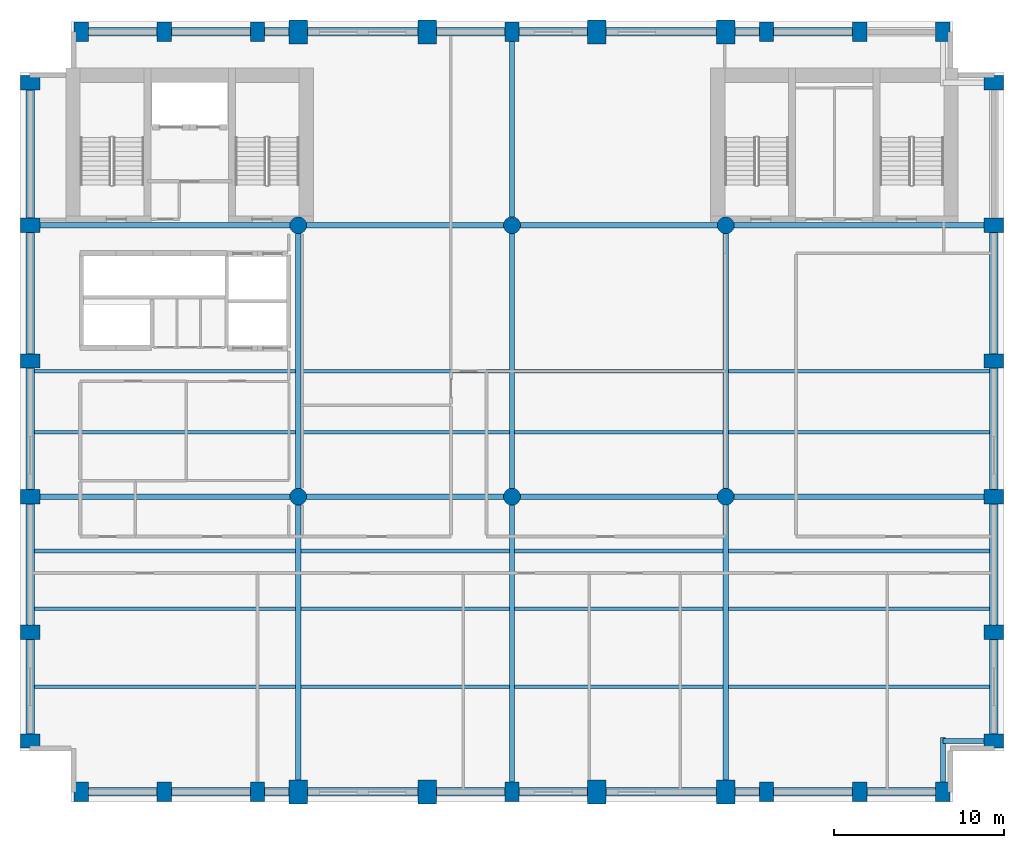
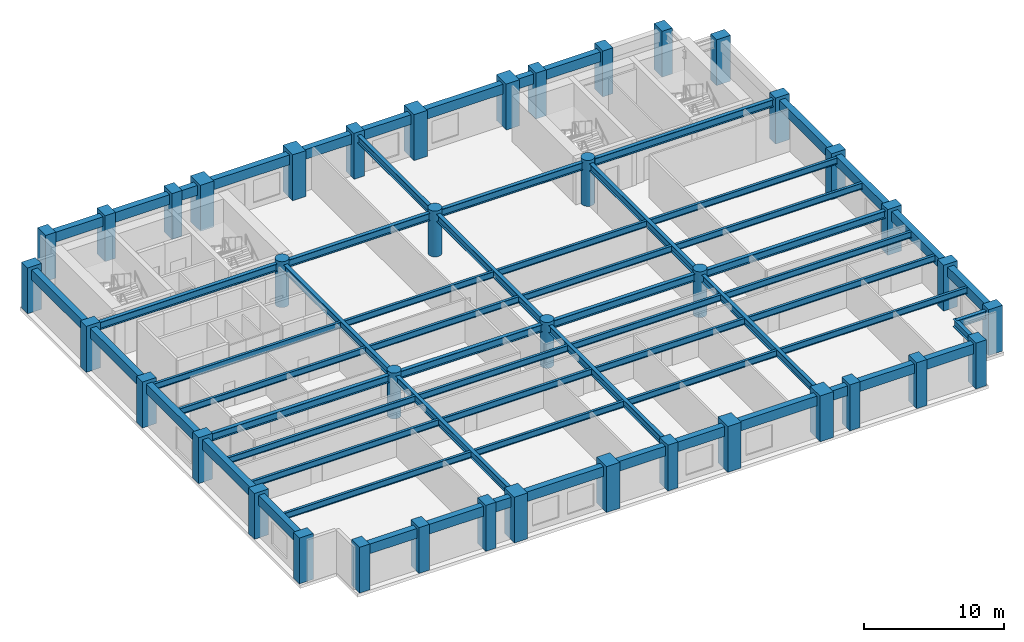
# One storey, part 1 of 8: 65 beams, 40 columns.
"""IFC4 building model written with IfcOpenShell, lengths in metres."""

from ifc_helpers import new_model, si_unit, direction, frame, origin, origin_2d, place, context, subcontext, project, spatial, rectangle, circle, i_section, extrude, material, material_profile, profile_set, type_object, element, save


model = new_model("IFC4")

# Units and contexts
model_context = context("Model", 3, precision=1e-05, world=origin(), true_north=direction((0.0, 1.0)))
body_context = subcontext(model_context, "Body", "Model", "MODEL_VIEW")
ifc_project = project(units=[si_unit("LENGTHUNIT", "METRE"), si_unit("AREAUNIT", "SQUARE_METRE"), si_unit("VOLUMEUNIT", "CUBIC_METRE"), si_unit("PLANEANGLEUNIT", "RADIAN"), si_unit("MASSUNIT", "GRAM", prefix="KILO")], contexts=[model_context])

# Site, building, storey
site_placement = place(None, origin())
site = spatial("IfcSite", under=ifc_project, at=site_placement, CompositionType="ELEMENT")
building_placement = place(site_placement, origin())
building = spatial("IfcBuilding", under=site, at=building_placement, Name="Sulina Concourse Tower", CompositionType="ELEMENT")
storey_placement = place(building_placement, frame((0.0, 0.0, 108.60009765625)))
storey = spatial("IfcBuildingStorey", under=building, at=storey_placement, Name="L26", CompositionType="ELEMENT", Elevation=108.60009765625)

# Columns
ifc_material_1 = material(Name="Concrete C60/75", Category="concrete")
ifc_material_profile_1 = material_profile(ifc_material_1, circle(Radius=0.5, at=origin_2d()), Name="RC D1000")
ifc_profile_set_1 = profile_set([ifc_material_profile_1], Name="Concrete C60/75")
column_type_1 = type_object("IfcColumnType", Name="Lower Interior Circular Column D1000", PredefinedType="COLUMN", material=ifc_profile_set_1)
for number, where, z_axis, x_axis, name in (
    (1, (16.39990234375, 18.0, 0.0), (0.0, 0.0, 1.0), (1.0, 0.0, 0.0), "L26 structural column IC-M-164"),
    (2, (16.39990234375, 34.0, 0.0), (0.0, 0.0, 1.0), (1.0, 0.0, 0.0), "L26 structural column IC-N-164"),
    (3, (29.0, 18.0, 0.0), (0.0, 0.0, 1.0), (1.0, 0.0, 0.0), "L26 structural column IC-M-290"),
    (4, (29.0, 34.0, 0.0), (0.0, 0.0, 1.0), (1.0, 0.0, 0.0), "L26 structural column IC-N-290"),
    (5, (41.60009765625, 18.0, 0.0), (0.0, 0.0, 1.0), (1.0, 0.0, 0.0), "L26 structural column IC-M-416"),
    (6, (41.60009765625, 34.0, 0.0), (0.0, 0.0, 1.0), (1.0, 0.0, 0.0), "L26 structural column IC-N-416"),
):
    element("IfcColumn", number, at=place(storey_placement, frame(where, z_axis=z_axis, x_axis=x_axis)), inside=storey, type_object=column_type_1, Name=name, PredefinedType="COLUMN", context=body_context, shape_type="SweptSolid", body=[
        extrude(circle(Radius=0.5, at=origin_2d()), origin(), (0.0, 0.0, 1.0), 4.0),
    ])
ifc_material_2 = material(Name="Concrete C60/75", Category="concrete")
ifc_material_profile_2 = material_profile(ifc_material_2, rectangle(XDim=1.10009765625, YDim=1.39990234375, at=origin_2d()), Name="RC 1100x1400")
ifc_profile_set_2 = profile_set([ifc_material_profile_2], Name="Concrete C60/75")
column_type_2 = type_object("IfcColumnType", Name="Mid-Rise Portal Column 1100x1400", PredefinedType="COLUMN", material=ifc_profile_set_2)
for number, where, z_axis, x_axis, name in (
    (7, (16.39990234375, 0.60009765625, 0.0), (0.0, 0.0, 1.0), (1.0, 0.0, 0.0), "L26 structural column TP-S-164"),
    (8, (16.39990234375, 45.39990234375, 0.0), (0.0, 0.0, 1.0), (1.0, 0.0, 0.0), "L26 structural column TP-N-164"),
    (9, (24.0, 0.60009765625, 0.0), (0.0, 0.0, 1.0), (1.0, 0.0, 0.0), "L26 structural column TP-S-240"),
    (10, (24.0, 45.39990234375, 0.0), (0.0, 0.0, 1.0), (1.0, 0.0, 0.0), "L26 structural column TP-N-240"),
    (11, (34.0, 0.60009765625, 0.0), (0.0, 0.0, 1.0), (1.0, 0.0, 0.0), "L26 structural column TP-S-340"),
    (12, (34.0, 45.39990234375, 0.0), (0.0, 0.0, 1.0), (1.0, 0.0, 0.0), "L26 structural column TP-N-340"),
    (13, (41.60009765625, 0.60009765625, 0.0), (0.0, 0.0, 1.0), (1.0, 0.0, 0.0), "L26 structural column TP-S-416"),
    (14, (41.60009765625, 45.39990234375, 0.0), (0.0, 0.0, 1.0), (1.0, 0.0, 0.0), "L26 structural column TP-N-416"),
):
    element("IfcColumn", number, at=place(storey_placement, frame(where, z_axis=z_axis, x_axis=x_axis)), inside=storey, type_object=column_type_2, Name=name, PredefinedType="COLUMN", context=body_context, shape_type="SweptSolid", body=[
        extrude(rectangle(XDim=1.10009765625, YDim=1.39990234375, at=origin_2d()), origin(), (0.0, 0.0, 1.0), 4.0),
    ])
ifc_material_3 = material(Name="Precast concrete C60/75", Category="concrete")
ifc_material_profile_3 = material_profile(ifc_material_3, rectangle(XDim=0.85009765625, YDim=1.14990234375, at=origin_2d()), Name="PC 850x1150")
ifc_profile_set_3 = profile_set([ifc_material_profile_3], Name="Precast concrete C60/75")
column_type_3 = type_object("IfcColumnType", Name="Precast Tube Pier Zone 2 850x1150", PredefinedType="COLUMN", material=ifc_profile_set_3)
for number, where, z_axis, x_axis, name in (
    (15, (3.60009765625, 0.60009765625, 0.0), (0.0, 0.0, 1.0), (1.0, 0.0, 0.0), "L26 structural column TP-S-36"),
    (16, (3.60009765625, 45.39990234375, 0.0), (0.0, 0.0, 1.0), (1.0, 0.0, 0.0), "L26 structural column TP-N-36"),
    (17, (8.5, 0.60009765625, 0.0), (0.0, 0.0, 1.0), (1.0, 0.0, 0.0), "L26 structural column TP-S-85"),
    (18, (8.5, 45.39990234375, 0.0), (0.0, 0.0, 1.0), (1.0, 0.0, 0.0), "L26 structural column TP-N-85"),
    (19, (14.0, 0.60009765625, 0.0), (0.0, 0.0, 1.0), (1.0, 0.0, 0.0), "L26 structural column TP-S-140"),
    (20, (14.0, 45.39990234375, 0.0), (0.0, 0.0, 1.0), (1.0, 0.0, 0.0), "L26 structural column TP-N-140"),
    (21, (29.0, 0.60009765625, 0.0), (0.0, 0.0, 1.0), (1.0, 0.0, 0.0), "L26 structural column TP-S-290"),
    (22, (29.0, 45.39990234375, 0.0), (0.0, 0.0, 1.0), (1.0, 0.0, 0.0), "L26 structural column TP-N-290"),
    (23, (44.0, 0.60009765625, 0.0), (0.0, 0.0, 1.0), (1.0, 0.0, 0.0), "L26 structural column TP-S-440"),
    (24, (44.0, 45.39990234375, 0.0), (0.0, 0.0, 1.0), (1.0, 0.0, 0.0), "L26 structural column TP-N-440"),
    (25, (49.5, 0.60009765625, 0.0), (0.0, 0.0, 1.0), (1.0, 0.0, 0.0), "L26 structural column TP-S-495"),
    (26, (49.5, 45.39990234375, 0.0), (0.0, 0.0, 1.0), (1.0, 0.0, 0.0), "L26 structural column TP-N-495"),
    (27, (54.39990234375, 0.60009765625, 0.0), (0.0, 0.0, 1.0), (1.0, 0.0, 0.0), "L26 structural column TP-S-544"),
    (28, (54.39990234375, 45.39990234375, 0.0), (0.0, 0.0, 1.0), (1.0, 0.0, 0.0), "L26 structural column TP-N-544"),
    (29, (0.60009765625, 3.60009765625, 0.0), (0.0, 0.0, 1.0), (0.0, 1.0, 0.0), "L26 structural column TP-W-36"),
    (30, (57.39990234375, 3.60009765625, 0.0), (0.0, 0.0, 1.0), (0.0, 1.0, 0.0), "L26 structural column TP-E-36"),
    (31, (0.60009765625, 10.0, 0.0), (0.0, 0.0, 1.0), (0.0, 1.0, 0.0), "L26 structural column TP-W-100"),
    (32, (57.39990234375, 10.0, 0.0), (0.0, 0.0, 1.0), (0.0, 1.0, 0.0), "L26 structural column TP-E-100"),
    (33, (0.60009765625, 18.0, 0.0), (0.0, 0.0, 1.0), (0.0, 1.0, 0.0), "L26 structural column TP-W-180"),
    (34, (57.39990234375, 18.0, 0.0), (0.0, 0.0, 1.0), (0.0, 1.0, 0.0), "L26 structural column TP-E-180"),
    (35, (0.60009765625, 26.0, 0.0), (0.0, 0.0, 1.0), (0.0, 1.0, 0.0), "L26 structural column TP-W-260"),
    (36, (57.39990234375, 26.0, 0.0), (0.0, 0.0, 1.0), (0.0, 1.0, 0.0), "L26 structural column TP-E-260"),
    (37, (0.60009765625, 34.0, 0.0), (0.0, 0.0, 1.0), (0.0, 1.0, 0.0), "L26 structural column TP-W-340"),
    (38, (57.39990234375, 34.0, 0.0), (0.0, 0.0, 1.0), (0.0, 1.0, 0.0), "L26 structural column TP-E-340"),
    (39, (0.60009765625, 42.39990234375, 0.0), (0.0, 0.0, 1.0), (0.0, 1.0, 0.0), "L26 structural column TP-W-424"),
    (40, (57.39990234375, 42.39990234375, 0.0), (0.0, 0.0, 1.0), (0.0, 1.0, 0.0), "L26 structural column TP-E-424"),
):
    element("IfcColumn", number, at=place(storey_placement, frame(where, z_axis=z_axis, x_axis=x_axis)), inside=storey, type_object=column_type_3, Name=name, PredefinedType="COLUMN", context=body_context, shape_type="SweptSolid", body=[
        extrude(rectangle(XDim=0.85009765625, YDim=1.14990234375, at=origin_2d()), origin(), (0.0, 0.0, 1.0), 4.0),
    ])

# Beams
ifc_material_4 = material(Name="Steel S355", Category="steel")
ifc_material_profile_4 = material_profile(ifc_material_4, i_section(OverallWidth=0.2099609375, OverallDepth=0.550048828125, WebThickness=0.010986328125, FlangeThickness=0.01708984375, at=origin_2d()), Name="IPE 550")
ifc_profile_set_4 = profile_set([ifc_material_profile_4], Name="Steel S355")
beam_type_1 = type_object("IfcBeamType", Name="Composite Floor Joist IPE550", PredefinedType="JOIST", material=ifc_profile_set_4)
beam_1_placement = place(storey_placement, frame((0.85009765625, 6.800048828125, 3.449951171875), z_axis=(1.0, 0.0, 0.0), x_axis=(0.0, 1.0, 0.0)))
element("IfcBeam", 41, at=beam_1_placement, inside=storey, type_object=beam_type_1, Name="FJ-J06-1-L26", PredefinedType="JOIST", context=body_context, shape_type="SweptSolid", body=[
    extrude(i_section(OverallWidth=0.2099609375, OverallDepth=0.550048828125, WebThickness=0.010986328125, FlangeThickness=0.01708984375, at=origin_2d()), origin(), (0.0, 0.0, 1.0), 15.39990234375),
])
for number, where, z_axis, x_axis, name in (
    (42, (16.550048828125, 6.800048828125, 3.449951171875), (1.0, 0.0, 0.0), (0.0, 1.0, 0.0), "FJ-J06-2-L26"),
    (43, (29.14990234375, 6.800048828125, 3.449951171875), (1.0, 0.0, 0.0), (0.0, 1.0, 0.0), "FJ-J06-3-L26"),
):
    element("IfcBeam", number, at=place(storey_placement, frame(where, z_axis=z_axis, x_axis=x_axis)), inside=storey, type_object=beam_type_1, Name=name, PredefinedType="JOIST", context=body_context, shape_type="SweptSolid", body=[
        extrude(i_section(OverallWidth=0.2099609375, OverallDepth=0.550048828125, WebThickness=0.010986328125, FlangeThickness=0.01708984375, at=origin_2d()), origin(), (0.0, 0.0, 1.0), 12.300048828125),
    ])
for number, where, z_axis, x_axis, name in (
    (44, (41.75, 6.800048828125, 3.449951171875), (1.0, 0.0, 0.0), (0.0, 1.0, 0.0), "FJ-J06-4-L26"),
    (45, (0.85009765625, 11.39990234375, 3.449951171875), (1.0, 0.0, 0.0), (0.0, 1.0, 0.0), "FJ-J11-1-L26"),
):
    element("IfcBeam", number, at=place(storey_placement, frame(where, z_axis=z_axis, x_axis=x_axis)), inside=storey, type_object=beam_type_1, Name=name, PredefinedType="JOIST", context=body_context, shape_type="SweptSolid", body=[
        extrude(i_section(OverallWidth=0.2099609375, OverallDepth=0.550048828125, WebThickness=0.010986328125, FlangeThickness=0.01708984375, at=origin_2d()), origin(), (0.0, 0.0, 1.0), 15.39990234375),
    ])
for number, where, z_axis, x_axis, name in (
    (46, (16.550048828125, 11.39990234375, 3.449951171875), (1.0, 0.0, 0.0), (0.0, 1.0, 0.0), "FJ-J11-2-L26"),
    (47, (29.14990234375, 11.39990234375, 3.449951171875), (1.0, 0.0, 0.0), (0.0, 1.0, 0.0), "FJ-J11-3-L26"),
):
    element("IfcBeam", number, at=place(storey_placement, frame(where, z_axis=z_axis, x_axis=x_axis)), inside=storey, type_object=beam_type_1, Name=name, PredefinedType="JOIST", context=body_context, shape_type="SweptSolid", body=[
        extrude(i_section(OverallWidth=0.2099609375, OverallDepth=0.550048828125, WebThickness=0.010986328125, FlangeThickness=0.01708984375, at=origin_2d()), origin(), (0.0, 0.0, 1.0), 12.300048828125),
    ])
for number, where, z_axis, x_axis, name in (
    (48, (41.75, 11.39990234375, 3.449951171875), (1.0, 0.0, 0.0), (0.0, 1.0, 0.0), "FJ-J11-4-L26"),
    (49, (0.85009765625, 14.800048828125, 3.449951171875), (1.0, 0.0, 0.0), (0.0, 1.0, 0.0), "FJ-J15-1-L26"),
):
    element("IfcBeam", number, at=place(storey_placement, frame(where, z_axis=z_axis, x_axis=x_axis)), inside=storey, type_object=beam_type_1, Name=name, PredefinedType="JOIST", context=body_context, shape_type="SweptSolid", body=[
        extrude(i_section(OverallWidth=0.2099609375, OverallDepth=0.550048828125, WebThickness=0.010986328125, FlangeThickness=0.01708984375, at=origin_2d()), origin(), (0.0, 0.0, 1.0), 15.39990234375),
    ])
for number, where, z_axis, x_axis, name in (
    (50, (16.550048828125, 14.800048828125, 3.449951171875), (1.0, 0.0, 0.0), (0.0, 1.0, 0.0), "FJ-J15-2-L26"),
    (51, (29.14990234375, 14.800048828125, 3.449951171875), (1.0, 0.0, 0.0), (0.0, 1.0, 0.0), "FJ-J15-3-L26"),
):
    element("IfcBeam", number, at=place(storey_placement, frame(where, z_axis=z_axis, x_axis=x_axis)), inside=storey, type_object=beam_type_1, Name=name, PredefinedType="JOIST", context=body_context, shape_type="SweptSolid", body=[
        extrude(i_section(OverallWidth=0.2099609375, OverallDepth=0.550048828125, WebThickness=0.010986328125, FlangeThickness=0.01708984375, at=origin_2d()), origin(), (0.0, 0.0, 1.0), 12.300048828125),
    ])
for number, where, z_axis, x_axis, name in (
    (52, (41.75, 14.800048828125, 3.449951171875), (1.0, 0.0, 0.0), (0.0, 1.0, 0.0), "FJ-J15-4-L26"),
    (53, (0.85009765625, 21.800048828125, 3.449951171875), (1.0, 0.0, 0.0), (0.0, 1.0, 0.0), "FJ-J22-1-L26"),
):
    element("IfcBeam", number, at=place(storey_placement, frame(where, z_axis=z_axis, x_axis=x_axis)), inside=storey, type_object=beam_type_1, Name=name, PredefinedType="JOIST", context=body_context, shape_type="SweptSolid", body=[
        extrude(i_section(OverallWidth=0.2099609375, OverallDepth=0.550048828125, WebThickness=0.010986328125, FlangeThickness=0.01708984375, at=origin_2d()), origin(), (0.0, 0.0, 1.0), 15.39990234375),
    ])
for number, where, z_axis, x_axis, name in (
    (54, (16.550048828125, 21.800048828125, 3.449951171875), (1.0, 0.0, 0.0), (0.0, 1.0, 0.0), "FJ-J22-2-L26"),
    (55, (29.14990234375, 21.800048828125, 3.449951171875), (1.0, 0.0, 0.0), (0.0, 1.0, 0.0), "FJ-J22-3-L26"),
):
    element("IfcBeam", number, at=place(storey_placement, frame(where, z_axis=z_axis, x_axis=x_axis)), inside=storey, type_object=beam_type_1, Name=name, PredefinedType="JOIST", context=body_context, shape_type="SweptSolid", body=[
        extrude(i_section(OverallWidth=0.2099609375, OverallDepth=0.550048828125, WebThickness=0.010986328125, FlangeThickness=0.01708984375, at=origin_2d()), origin(), (0.0, 0.0, 1.0), 12.300048828125),
    ])
for number, where, z_axis, x_axis, name in (
    (56, (41.75, 21.800048828125, 3.449951171875), (1.0, 0.0, 0.0), (0.0, 1.0, 0.0), "FJ-J22-4-L26"),
    (57, (0.85009765625, 25.39990234375, 3.449951171875), (1.0, 0.0, 0.0), (0.0, 1.0, 0.0), "FJ-J25-1-L26"),
):
    element("IfcBeam", number, at=place(storey_placement, frame(where, z_axis=z_axis, x_axis=x_axis)), inside=storey, type_object=beam_type_1, Name=name, PredefinedType="JOIST", context=body_context, shape_type="SweptSolid", body=[
        extrude(i_section(OverallWidth=0.2099609375, OverallDepth=0.550048828125, WebThickness=0.010986328125, FlangeThickness=0.01708984375, at=origin_2d()), origin(), (0.0, 0.0, 1.0), 15.39990234375),
    ])
for number, where, z_axis, x_axis, name in (
    (58, (16.550048828125, 25.39990234375, 3.449951171875), (1.0, 0.0, 0.0), (0.0, 1.0, 0.0), "FJ-J25-2-L26"),
    (59, (29.14990234375, 25.39990234375, 3.449951171875), (1.0, 0.0, 0.0), (0.0, 1.0, 0.0), "FJ-J25-3-L26"),
):
    element("IfcBeam", number, at=place(storey_placement, frame(where, z_axis=z_axis, x_axis=x_axis)), inside=storey, type_object=beam_type_1, Name=name, PredefinedType="JOIST", context=body_context, shape_type="SweptSolid", body=[
        extrude(i_section(OverallWidth=0.2099609375, OverallDepth=0.550048828125, WebThickness=0.010986328125, FlangeThickness=0.01708984375, at=origin_2d()), origin(), (0.0, 0.0, 1.0), 12.300048828125),
    ])
beam_2_placement = place(storey_placement, frame((41.75, 25.39990234375, 3.449951171875), z_axis=(1.0, 0.0, 0.0), x_axis=(0.0, 1.0, 0.0)))
element("IfcBeam", 60, at=beam_2_placement, inside=storey, type_object=beam_type_1, Name="FJ-J25-4-L26", PredefinedType="JOIST", context=body_context, shape_type="SweptSolid", body=[
    extrude(i_section(OverallWidth=0.2099609375, OverallDepth=0.550048828125, WebThickness=0.010986328125, FlangeThickness=0.01708984375, at=origin_2d()), origin(), (0.0, 0.0, 1.0), 15.39990234375),
])
ifc_material_5 = material(Name="Steel S355", Category="steel")
ifc_material_profile_5 = material_profile(ifc_material_5, i_section(OverallWidth=0.300048828125, OverallDepth=0.64990234375, WebThickness=0.01611328125, FlangeThickness=0.031005859375, at=origin_2d()), Name="HE 650 B")
ifc_profile_set_5 = profile_set([ifc_material_profile_5], Name="Steel S355")
beam_type_2 = type_object("IfcBeamType", Name="Floor Primary Girder Zone 2 HE650B", PredefinedType="BEAM", material=ifc_profile_set_5)
beam_3_placement = place(storey_placement, frame((54.39990234375, 3.60009765625, 3.39990234375), z_axis=(1.0, 0.0, 0.0), x_axis=(0.0, 1.0, 0.0)))
element("IfcBeam", 61, at=beam_3_placement, inside=storey, type_object=beam_type_2, Name="TIE-SE-L26", PredefinedType="BEAM", context=body_context, shape_type="SweptSolid", body=[
    extrude(i_section(OverallWidth=0.300048828125, OverallDepth=0.64990234375, WebThickness=0.01611328125, FlangeThickness=0.031005859375, at=origin_2d()), origin(), (0.0, 0.0, 1.0), 2.59521484375),
])
beam_4_placement = place(storey_placement, frame((54.39990234375, 1.0048828125, 3.39990234375), z_axis=(0.0, 1.0, 0.0), x_axis=(-1.0, 0.0, 0.0)))
element("IfcBeam", 62, at=beam_4_placement, inside=storey, type_object=beam_type_2, Name="TIE-SES-L26", PredefinedType="BEAM", context=body_context, shape_type="SweptSolid", body=[
    extrude(i_section(OverallWidth=0.300048828125, OverallDepth=0.64990234375, WebThickness=0.01611328125, FlangeThickness=0.031005859375, at=origin_2d()), origin(), (0.0, 0.0, 1.0), 2.795166015625),
])
beam_5_placement = place(storey_placement, frame((1.0048828125, 18.0, 3.39990234375), z_axis=(1.0, 0.0, 0.0), x_axis=(0.0, 1.0, 0.0)))
element("IfcBeam", 63, at=beam_5_placement, inside=storey, type_object=beam_type_2, Name="FG-EW1-L26", PredefinedType="BEAM", context=body_context, shape_type="SweptSolid", body=[
    extrude(i_section(OverallWidth=0.300048828125, OverallDepth=0.64990234375, WebThickness=0.01611328125, FlangeThickness=0.031005859375, at=origin_2d()), origin(), (0.0, 0.0, 1.0), 14.9150390625),
])
for number, where, z_axis, x_axis, name in (
    (64, (16.8798828125, 18.0, 3.39990234375), (1.0, 0.0, 0.0), (0.0, 1.0, 0.0), "FG-EW2-L26"),
    (65, (29.47998046875, 18.0, 3.39990234375), (1.0, 0.0, 0.0), (0.0, 1.0, 0.0), "FG-EW3-L26"),
):
    element("IfcBeam", number, at=place(storey_placement, frame(where, z_axis=z_axis, x_axis=x_axis)), inside=storey, type_object=beam_type_2, Name=name, PredefinedType="BEAM", context=body_context, shape_type="SweptSolid", body=[
        extrude(i_section(OverallWidth=0.300048828125, OverallDepth=0.64990234375, WebThickness=0.01611328125, FlangeThickness=0.031005859375, at=origin_2d()), origin(), (0.0, 0.0, 1.0), 11.64013671875),
    ])
for number, where, z_axis, x_axis, name in (
    (66, (42.080078125, 18.0, 3.39990234375), (1.0, 0.0, 0.0), (0.0, 1.0, 0.0), "FG-EW4-L26"),
    (67, (1.0048828125, 34.0, 3.39990234375), (1.0, 0.0, 0.0), (0.0, 1.0, 0.0), "FG-EWN1-L26"),
):
    element("IfcBeam", number, at=place(storey_placement, frame(where, z_axis=z_axis, x_axis=x_axis)), inside=storey, type_object=beam_type_2, Name=name, PredefinedType="BEAM", context=body_context, shape_type="SweptSolid", body=[
        extrude(i_section(OverallWidth=0.300048828125, OverallDepth=0.64990234375, WebThickness=0.01611328125, FlangeThickness=0.031005859375, at=origin_2d()), origin(), (0.0, 0.0, 1.0), 14.9150390625),
    ])
for number, where, z_axis, x_axis, name in (
    (68, (16.8798828125, 34.0, 3.39990234375), (1.0, 0.0, 0.0), (0.0, 1.0, 0.0), "FG-EWN2-L26"),
    (69, (29.47998046875, 34.0, 3.39990234375), (1.0, 0.0, 0.0), (0.0, 1.0, 0.0), "FG-EWN3-L26"),
):
    element("IfcBeam", number, at=place(storey_placement, frame(where, z_axis=z_axis, x_axis=x_axis)), inside=storey, type_object=beam_type_2, Name=name, PredefinedType="BEAM", context=body_context, shape_type="SweptSolid", body=[
        extrude(i_section(OverallWidth=0.300048828125, OverallDepth=0.64990234375, WebThickness=0.01611328125, FlangeThickness=0.031005859375, at=origin_2d()), origin(), (0.0, 0.0, 1.0), 11.64013671875),
    ])
beam_6_placement = place(storey_placement, frame((42.080078125, 34.0, 3.39990234375), z_axis=(1.0, 0.0, 0.0), x_axis=(0.0, 1.0, 0.0)))
element("IfcBeam", 70, at=beam_6_placement, inside=storey, type_object=beam_type_2, Name="FG-EWN4-L26", PredefinedType="BEAM", context=body_context, shape_type="SweptSolid", body=[
    extrude(i_section(OverallWidth=0.300048828125, OverallDepth=0.64990234375, WebThickness=0.01611328125, FlangeThickness=0.031005859375, at=origin_2d()), origin(), (0.0, 0.0, 1.0), 14.9150390625),
])
beam_7_placement = place(storey_placement, frame((16.39990234375, 1.1298828125, 3.39990234375), z_axis=(0.0, 1.0, 0.0), x_axis=(-1.0, 0.0, 0.0)))
element("IfcBeam", 71, at=beam_7_placement, inside=storey, type_object=beam_type_2, Name="FG-NSA-16-L26", PredefinedType="BEAM", context=body_context, shape_type="SweptSolid", body=[
    extrude(i_section(OverallWidth=0.300048828125, OverallDepth=0.64990234375, WebThickness=0.01611328125, FlangeThickness=0.031005859375, at=origin_2d()), origin(), (0.0, 0.0, 1.0), 16.39013671875),
])
beam_8_placement = place(storey_placement, frame((16.39990234375, 18.47998046875, 3.39990234375), z_axis=(0.0, 1.0, 0.0), x_axis=(-1.0, 0.0, 0.0)))
element("IfcBeam", 72, at=beam_8_placement, inside=storey, type_object=beam_type_2, Name="FG-NSB-16-L26", PredefinedType="BEAM", context=body_context, shape_type="SweptSolid", body=[
    extrude(i_section(OverallWidth=0.300048828125, OverallDepth=0.64990234375, WebThickness=0.01611328125, FlangeThickness=0.031005859375, at=origin_2d()), origin(), (0.0, 0.0, 1.0), 15.0400390625),
])
beam_9_placement = place(storey_placement, frame((29.0, 1.0048828125, 3.39990234375), z_axis=(0.0, 1.0, 0.0), x_axis=(-1.0, 0.0, 0.0)))
element("IfcBeam", 73, at=beam_9_placement, inside=storey, type_object=beam_type_2, Name="FG-NSA-29-L26", PredefinedType="BEAM", context=body_context, shape_type="SweptSolid", body=[
    extrude(i_section(OverallWidth=0.300048828125, OverallDepth=0.64990234375, WebThickness=0.01611328125, FlangeThickness=0.031005859375, at=origin_2d()), origin(), (0.0, 0.0, 1.0), 16.51513671875),
])
beam_10_placement = place(storey_placement, frame((29.0, 18.47998046875, 3.39990234375), z_axis=(0.0, 1.0, 0.0), x_axis=(-1.0, 0.0, 0.0)))
element("IfcBeam", 74, at=beam_10_placement, inside=storey, type_object=beam_type_2, Name="FG-NSB-29-L26", PredefinedType="BEAM", context=body_context, shape_type="SweptSolid", body=[
    extrude(i_section(OverallWidth=0.300048828125, OverallDepth=0.64990234375, WebThickness=0.01611328125, FlangeThickness=0.031005859375, at=origin_2d()), origin(), (0.0, 0.0, 1.0), 15.0400390625),
])
beam_11_placement = place(storey_placement, frame((29.0, 34.47998046875, 3.39990234375), z_axis=(0.0, 1.0, 0.0), x_axis=(-1.0, 0.0, 0.0)))
element("IfcBeam", 75, at=beam_11_placement, inside=storey, type_object=beam_type_2, Name="FG-NSC-29-L26", PredefinedType="BEAM", context=body_context, shape_type="SweptSolid", body=[
    extrude(i_section(OverallWidth=0.300048828125, OverallDepth=0.64990234375, WebThickness=0.01611328125, FlangeThickness=0.031005859375, at=origin_2d()), origin(), (0.0, 0.0, 1.0), 10.51513671875),
])
beam_12_placement = place(storey_placement, frame((41.60009765625, 1.1298828125, 3.39990234375), z_axis=(0.0, 1.0, 0.0), x_axis=(-1.0, 0.0, 0.0)))
element("IfcBeam", 76, at=beam_12_placement, inside=storey, type_object=beam_type_2, Name="FG-NSA-41-L26", PredefinedType="BEAM", context=body_context, shape_type="SweptSolid", body=[
    extrude(i_section(OverallWidth=0.300048828125, OverallDepth=0.64990234375, WebThickness=0.01611328125, FlangeThickness=0.031005859375, at=origin_2d()), origin(), (0.0, 0.0, 1.0), 16.39013671875),
])
beam_13_placement = place(storey_placement, frame((41.60009765625, 18.47998046875, 3.39990234375), z_axis=(0.0, 1.0, 0.0), x_axis=(-1.0, 0.0, 0.0)))
element("IfcBeam", 77, at=beam_13_placement, inside=storey, type_object=beam_type_2, Name="FG-NSB-41-L26", PredefinedType="BEAM", context=body_context, shape_type="SweptSolid", body=[
    extrude(i_section(OverallWidth=0.300048828125, OverallDepth=0.64990234375, WebThickness=0.01611328125, FlangeThickness=0.031005859375, at=origin_2d()), origin(), (0.0, 0.0, 1.0), 15.0400390625),
])
ifc_material_6 = material(Name="Precast concrete C50/60", Category="concrete")
ifc_material_profile_6 = material_profile(ifc_material_6, rectangle(XDim=0.5, YDim=0.85009765625, at=origin_2d()), Name="RC 500x850")
ifc_profile_set_6 = profile_set([ifc_material_profile_6], Name="Precast concrete C50/60")
beam_type_3 = type_object("IfcBeamType", Name="Lower Precast Spandrel Edge Beam 500x850", PredefinedType="BEAM", material=ifc_profile_set_6)
beam_14_placement = place(storey_placement, frame((4.0048828125, 0.60009765625, 3.2998046875), z_axis=(1.0, 0.0, 0.0), x_axis=(0.0, 1.0, 0.0)))
element("IfcBeam", 78, at=beam_14_placement, inside=storey, type_object=beam_type_3, Name="SP-S1-L26", PredefinedType="BEAM", context=body_context, shape_type="SweptSolid", body=[
    extrude(rectangle(XDim=0.5, YDim=0.85009765625, at=origin_2d()), origin(), (0.0, 0.0, 1.0), 4.090087890625),
])
beam_15_placement = place(storey_placement, frame((8.905029296875, 0.60009765625, 3.2998046875), z_axis=(1.0, 0.0, 0.0), x_axis=(0.0, 1.0, 0.0)))
element("IfcBeam", 79, at=beam_15_placement, inside=storey, type_object=beam_type_3, Name="SP-S2-L26", PredefinedType="BEAM", context=body_context, shape_type="SweptSolid", body=[
    extrude(rectangle(XDim=0.5, YDim=0.85009765625, at=origin_2d()), origin(), (0.0, 0.0, 1.0), 4.68994140625),
])
beam_16_placement = place(storey_placement, frame((14.405029296875, 0.60009765625, 3.2998046875), z_axis=(1.0, 0.0, 0.0), x_axis=(0.0, 1.0, 0.0)))
element("IfcBeam", 80, at=beam_16_placement, inside=storey, type_object=beam_type_3, Name="SP-S3-L26", PredefinedType="BEAM", context=body_context, shape_type="SweptSolid", body=[
    extrude(rectangle(XDim=0.5, YDim=0.85009765625, at=origin_2d()), origin(), (0.0, 0.0, 1.0), 1.465087890625),
])
beam_17_placement = place(storey_placement, frame((16.929931640625, 0.60009765625, 3.2998046875), z_axis=(1.0, 0.0, 0.0), x_axis=(0.0, 1.0, 0.0)))
element("IfcBeam", 81, at=beam_17_placement, inside=storey, type_object=beam_type_3, Name="SP-S4-L26", PredefinedType="BEAM", context=body_context, shape_type="SweptSolid", body=[
    extrude(rectangle(XDim=0.5, YDim=0.85009765625, at=origin_2d()), origin(), (0.0, 0.0, 1.0), 6.5400390625),
])
for number, where, z_axis, x_axis, name in (
    (82, (24.530029296875, 0.60009765625, 3.2998046875), (1.0, 0.0, 0.0), (0.0, 1.0, 0.0), "SP-S5-L26"),
    (83, (29.405029296875, 0.60009765625, 3.2998046875), (1.0, 0.0, 0.0), (0.0, 1.0, 0.0), "SP-S6-L26"),
):
    element("IfcBeam", number, at=place(storey_placement, frame(where, z_axis=z_axis, x_axis=x_axis)), inside=storey, type_object=beam_type_3, Name=name, PredefinedType="BEAM", context=body_context, shape_type="SweptSolid", body=[
        extrude(rectangle(XDim=0.5, YDim=0.85009765625, at=origin_2d()), origin(), (0.0, 0.0, 1.0), 4.06494140625),
    ])
beam_18_placement = place(storey_placement, frame((34.530029296875, 0.60009765625, 3.2998046875), z_axis=(1.0, 0.0, 0.0), x_axis=(0.0, 1.0, 0.0)))
element("IfcBeam", 84, at=beam_18_placement, inside=storey, type_object=beam_type_3, Name="SP-S7-L26", PredefinedType="BEAM", context=body_context, shape_type="SweptSolid", body=[
    extrude(rectangle(XDim=0.5, YDim=0.85009765625, at=origin_2d()), origin(), (0.0, 0.0, 1.0), 6.5400390625),
])
beam_19_placement = place(storey_placement, frame((42.1298828125, 0.60009765625, 3.2998046875), z_axis=(1.0, 0.0, 0.0), x_axis=(0.0, 1.0, 0.0)))
element("IfcBeam", 85, at=beam_19_placement, inside=storey, type_object=beam_type_3, Name="SP-S8-L26", PredefinedType="BEAM", context=body_context, shape_type="SweptSolid", body=[
    extrude(rectangle(XDim=0.5, YDim=0.85009765625, at=origin_2d()), origin(), (0.0, 0.0, 1.0), 1.465087890625),
])
beam_20_placement = place(storey_placement, frame((44.405029296875, 0.60009765625, 3.2998046875), z_axis=(1.0, 0.0, 0.0), x_axis=(0.0, 1.0, 0.0)))
element("IfcBeam", 86, at=beam_20_placement, inside=storey, type_object=beam_type_3, Name="SP-S9-L26", PredefinedType="BEAM", context=body_context, shape_type="SweptSolid", body=[
    extrude(rectangle(XDim=0.5, YDim=0.85009765625, at=origin_2d()), origin(), (0.0, 0.0, 1.0), 4.68994140625),
])
for number, where, z_axis, x_axis, name in (
    (87, (49.905029296875, 0.60009765625, 3.2998046875), (1.0, 0.0, 0.0), (0.0, 1.0, 0.0), "SP-S10-L26"),
    (88, (4.0048828125, 45.39990234375, 3.2998046875), (1.0, 0.0, 0.0), (0.0, 1.0, 0.0), "SP-N1-L26"),
):
    element("IfcBeam", number, at=place(storey_placement, frame(where, z_axis=z_axis, x_axis=x_axis)), inside=storey, type_object=beam_type_3, Name=name, PredefinedType="BEAM", context=body_context, shape_type="SweptSolid", body=[
        extrude(rectangle(XDim=0.5, YDim=0.85009765625, at=origin_2d()), origin(), (0.0, 0.0, 1.0), 4.090087890625),
    ])
beam_21_placement = place(storey_placement, frame((8.905029296875, 45.39990234375, 3.2998046875), z_axis=(1.0, 0.0, 0.0), x_axis=(0.0, 1.0, 0.0)))
element("IfcBeam", 89, at=beam_21_placement, inside=storey, type_object=beam_type_3, Name="SP-N2-L26", PredefinedType="BEAM", context=body_context, shape_type="SweptSolid", body=[
    extrude(rectangle(XDim=0.5, YDim=0.85009765625, at=origin_2d()), origin(), (0.0, 0.0, 1.0), 4.68994140625),
])
beam_22_placement = place(storey_placement, frame((14.405029296875, 45.39990234375, 3.2998046875), z_axis=(1.0, 0.0, 0.0), x_axis=(0.0, 1.0, 0.0)))
element("IfcBeam", 90, at=beam_22_placement, inside=storey, type_object=beam_type_3, Name="SP-N3-L26", PredefinedType="BEAM", context=body_context, shape_type="SweptSolid", body=[
    extrude(rectangle(XDim=0.5, YDim=0.85009765625, at=origin_2d()), origin(), (0.0, 0.0, 1.0), 1.465087890625),
])
beam_23_placement = place(storey_placement, frame((16.929931640625, 45.39990234375, 3.2998046875), z_axis=(1.0, 0.0, 0.0), x_axis=(0.0, 1.0, 0.0)))
element("IfcBeam", 91, at=beam_23_placement, inside=storey, type_object=beam_type_3, Name="SP-N4-L26", PredefinedType="BEAM", context=body_context, shape_type="SweptSolid", body=[
    extrude(rectangle(XDim=0.5, YDim=0.85009765625, at=origin_2d()), origin(), (0.0, 0.0, 1.0), 6.5400390625),
])
for number, where, z_axis, x_axis, name in (
    (92, (24.530029296875, 45.39990234375, 3.2998046875), (1.0, 0.0, 0.0), (0.0, 1.0, 0.0), "SP-N5-L26"),
    (93, (29.405029296875, 45.39990234375, 3.2998046875), (1.0, 0.0, 0.0), (0.0, 1.0, 0.0), "SP-N6-L26"),
):
    element("IfcBeam", number, at=place(storey_placement, frame(where, z_axis=z_axis, x_axis=x_axis)), inside=storey, type_object=beam_type_3, Name=name, PredefinedType="BEAM", context=body_context, shape_type="SweptSolid", body=[
        extrude(rectangle(XDim=0.5, YDim=0.85009765625, at=origin_2d()), origin(), (0.0, 0.0, 1.0), 4.06494140625),
    ])
beam_24_placement = place(storey_placement, frame((34.530029296875, 45.39990234375, 3.2998046875), z_axis=(1.0, 0.0, 0.0), x_axis=(0.0, 1.0, 0.0)))
element("IfcBeam", 94, at=beam_24_placement, inside=storey, type_object=beam_type_3, Name="SP-N7-L26", PredefinedType="BEAM", context=body_context, shape_type="SweptSolid", body=[
    extrude(rectangle(XDim=0.5, YDim=0.85009765625, at=origin_2d()), origin(), (0.0, 0.0, 1.0), 6.5400390625),
])
beam_25_placement = place(storey_placement, frame((42.1298828125, 45.39990234375, 3.2998046875), z_axis=(1.0, 0.0, 0.0), x_axis=(0.0, 1.0, 0.0)))
element("IfcBeam", 95, at=beam_25_placement, inside=storey, type_object=beam_type_3, Name="SP-N8-L26", PredefinedType="BEAM", context=body_context, shape_type="SweptSolid", body=[
    extrude(rectangle(XDim=0.5, YDim=0.85009765625, at=origin_2d()), origin(), (0.0, 0.0, 1.0), 1.465087890625),
])
beam_26_placement = place(storey_placement, frame((44.405029296875, 45.39990234375, 3.2998046875), z_axis=(1.0, 0.0, 0.0), x_axis=(0.0, 1.0, 0.0)))
element("IfcBeam", 96, at=beam_26_placement, inside=storey, type_object=beam_type_3, Name="SP-N9-L26", PredefinedType="BEAM", context=body_context, shape_type="SweptSolid", body=[
    extrude(rectangle(XDim=0.5, YDim=0.85009765625, at=origin_2d()), origin(), (0.0, 0.0, 1.0), 4.68994140625),
])
beam_27_placement = place(storey_placement, frame((0.60009765625, 4.0048828125, 3.2998046875), z_axis=(0.0, 1.0, 0.0), x_axis=(-1.0, 0.0, 0.0)))
element("IfcBeam", 97, at=beam_27_placement, inside=storey, type_object=beam_type_3, Name="SP-W1-L26", PredefinedType="BEAM", context=body_context, shape_type="SweptSolid", body=[
    extrude(rectangle(XDim=0.5, YDim=0.85009765625, at=origin_2d()), origin(), (0.0, 0.0, 1.0), 5.590087890625),
])
for number, where, z_axis, x_axis, name in (
    (98, (0.60009765625, 10.405029296875, 3.2998046875), (0.0, 1.0, 0.0), (-1.0, 0.0, 0.0), "SP-W2-L26"),
    (99, (0.60009765625, 18.405029296875, 3.2998046875), (0.0, 1.0, 0.0), (-1.0, 0.0, 0.0), "SP-W3-L26"),
    (100, (0.60009765625, 26.405029296875, 3.2998046875), (0.0, 1.0, 0.0), (-1.0, 0.0, 0.0), "SP-W4-L26"),
):
    element("IfcBeam", number, at=place(storey_placement, frame(where, z_axis=z_axis, x_axis=x_axis)), inside=storey, type_object=beam_type_3, Name=name, PredefinedType="BEAM", context=body_context, shape_type="SweptSolid", body=[
        extrude(rectangle(XDim=0.5, YDim=0.85009765625, at=origin_2d()), origin(), (0.0, 0.0, 1.0), 7.18994140625),
    ])
beam_28_placement = place(storey_placement, frame((0.60009765625, 34.405029296875, 3.2998046875), z_axis=(0.0, 1.0, 0.0), x_axis=(-1.0, 0.0, 0.0)))
element("IfcBeam", 101, at=beam_28_placement, inside=storey, type_object=beam_type_3, Name="SP-W5-L26", PredefinedType="BEAM", context=body_context, shape_type="SweptSolid", body=[
    extrude(rectangle(XDim=0.5, YDim=0.85009765625, at=origin_2d()), origin(), (0.0, 0.0, 1.0), 7.590087890625),
])
beam_29_placement = place(storey_placement, frame((57.39990234375, 4.0048828125, 3.2998046875), z_axis=(0.0, 1.0, 0.0), x_axis=(-1.0, 0.0, 0.0)))
element("IfcBeam", 102, at=beam_29_placement, inside=storey, type_object=beam_type_3, Name="SP-E1-L26", PredefinedType="BEAM", context=body_context, shape_type="SweptSolid", body=[
    extrude(rectangle(XDim=0.5, YDim=0.85009765625, at=origin_2d()), origin(), (0.0, 0.0, 1.0), 5.590087890625),
])
for number, where, z_axis, x_axis, name in (
    (103, (57.39990234375, 10.405029296875, 3.2998046875), (0.0, 1.0, 0.0), (-1.0, 0.0, 0.0), "SP-E2-L26"),
    (104, (57.39990234375, 18.405029296875, 3.2998046875), (0.0, 1.0, 0.0), (-1.0, 0.0, 0.0), "SP-E3-L26"),
    (105, (57.39990234375, 26.405029296875, 3.2998046875), (0.0, 1.0, 0.0), (-1.0, 0.0, 0.0), "SP-E4-L26"),
):
    element("IfcBeam", number, at=place(storey_placement, frame(where, z_axis=z_axis, x_axis=x_axis)), inside=storey, type_object=beam_type_3, Name=name, PredefinedType="BEAM", context=body_context, shape_type="SweptSolid", body=[
        extrude(rectangle(XDim=0.5, YDim=0.85009765625, at=origin_2d()), origin(), (0.0, 0.0, 1.0), 7.18994140625),
    ])

save(model, "model.ifc")
